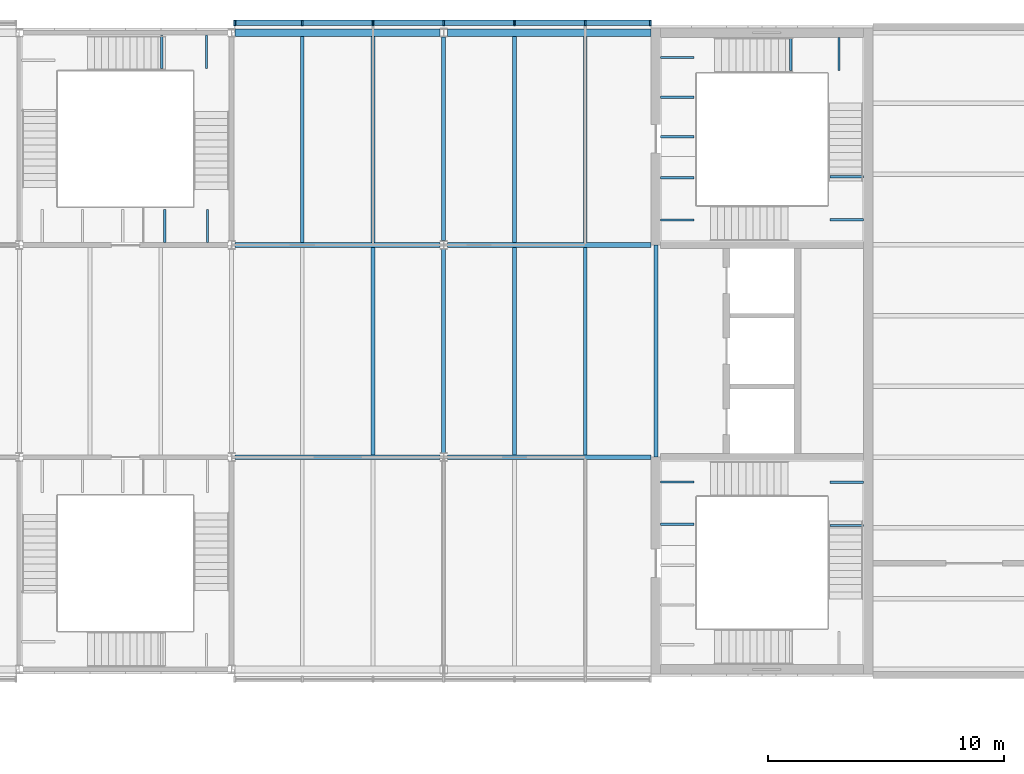
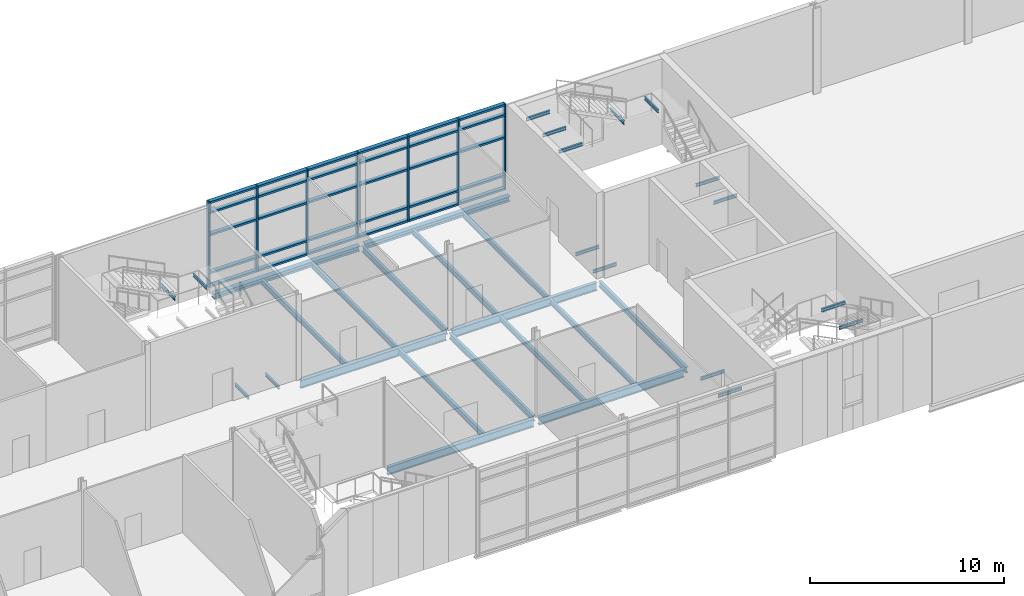
# One storey, part 16 of 52: 37 members, 33 beams, 1 element without a shape of its own.
"""IFC4 building model written with IfcOpenShell, lengths in metres."""

from ifc_helpers import new_model, si_unit, direction, frame, origin, origin_2d, place, context, subcontext, project, spatial, rectangle, i_section, extrude, material, material_profile, profile_set, type_object, element, aggregate, save


model = new_model("IFC4")

# Units and contexts
model_context = context("Model", 3, precision=1e-05, world=origin(), true_north=direction((0.0, 1.0)))
body_context = subcontext(model_context, "Body", "Model", "MODEL_VIEW")
ifc_project = project(units=[si_unit("LENGTHUNIT", "METRE"), si_unit("AREAUNIT", "SQUARE_METRE"), si_unit("VOLUMEUNIT", "CUBIC_METRE"), si_unit("PLANEANGLEUNIT", "RADIAN"), si_unit("MASSUNIT", "GRAM", prefix="KILO")], contexts=[model_context])

# Site, building, storey
site_placement = place(None, origin())
site = spatial("IfcSite", under=ifc_project, at=site_placement, CompositionType="ELEMENT")
building_placement = place(site_placement, origin())
building = spatial("IfcBuilding", under=site, at=building_placement, Name="Azimuth Sports and Learning Centre", CompositionType="ELEMENT")
storey_placement = place(building_placement, frame((0.0, 0.0, 16.199951171875)))
storey = spatial("IfcBuildingStorey", under=building, at=storey_placement, Name="L03", CompositionType="ELEMENT", Elevation=16.199951171875)

# Beams
ifc_material_1 = material(Name="Steel S355", Category="steel")
ifc_material_profile_1 = material_profile(ifc_material_1, i_section(OverallWidth=0.10009765625, OverallDepth=0.199951171875, WebThickness=0.005615234375, FlangeThickness=0.008544921875, FilletRadius=0.011962890625, at=origin_2d()), Name="IPE 200")
ifc_profile_set_1 = profile_set([ifc_material_profile_1], Name="Steel S355")
beam_type_1 = type_object("IfcBeamType", Name="Beam IPE 200", PredefinedType="BEAM", material=ifc_profile_set_1)
for number, where, z_axis, x_axis, name in (
    (1, (54.199951171875, 96.1474609375, -0.300048828125), (1.0, 0.0, 0.0), (0.0, 1.0, 0.0), "Landing bracket W1 L03 26"),
    (2, (54.199951171875, 97.9423828125, -0.300048828125), (1.0, 0.0, 0.0), (0.0, 1.0, 0.0), "Landing bracket W1 L03 27"),
    (3, (62.800048828125, 96.1025390625, 1.5), (-1.0, 0.0, 0.0), (0.0, -1.0, 0.0), "Landing bracket W1 L03 28"),
    (4, (62.800048828125, 97.927490234375, 1.5), (-1.0, 0.0, 0.0), (0.0, -1.0, 0.0), "Landing bracket W1 L03 29"),
    (5, (54.199951171875, 109.0576171875, -0.300048828125), (1.0, 0.0, 0.0), (0.0, 1.0, 0.0), "Landing bracket W2 L03 204"),
    (6, (54.199951171875, 110.8525390625, -0.300048828125), (1.0, 0.0, 0.0), (0.0, 1.0, 0.0), "Landing bracket W2 L03 205"),
    (7, (62.800048828125, 109.072509765625, 1.5), (-1.0, 0.0, 0.0), (0.0, -1.0, 0.0), "Landing bracket W2 L03 206"),
    (8, (62.800048828125, 110.8974609375, 1.5), (-1.0, 0.0, 0.0), (0.0, -1.0, 0.0), "Landing bracket W2 L03 207"),
    (9, (59.715087890625, 116.800048828125, 3.300048828125), (0.0, -1.0, 0.0), (1.0, 0.0, 0.0), "Landing bracket W2 L03 208"),
    (10, (61.764892578125, 116.800048828125, 3.300048828125), (0.0, -1.0, 0.0), (1.0, 0.0, 0.0), "Landing bracket W2 L03 209"),
    (11, (54.199951171875, 112.590087890625, 5.10009765625), (1.0, 0.0, 0.0), (0.0, 1.0, 0.0), "Landing bracket W2 L03 210"),
    (12, (54.199951171875, 114.27001953125, 5.10009765625), (1.0, 0.0, 0.0), (0.0, 1.0, 0.0), "Landing bracket W2 L03 211"),
    (13, (54.199951171875, 115.949951171875, 5.10009765625), (1.0, 0.0, 0.0), (0.0, 1.0, 0.0), "Landing bracket W2 L03 212"),
):
    element("IfcBeam", number, at=place(storey_placement, frame(where, z_axis=z_axis, x_axis=x_axis)), inside=storey, type_object=beam_type_1, Name=name, PredefinedType="BEAM", context=body_context, shape_type="SweptSolid", body=[
        extrude(i_section(OverallWidth=0.10009765625, OverallDepth=0.199951171875, WebThickness=0.005615234375, FlangeThickness=0.008544921875, FilletRadius=0.011962890625, at=origin_2d()), origin(), (0.0, 0.0, 1.0), 1.41015625),
    ])
for number, where, z_axis, x_axis, name in (
    (14, (33.159912109375, 108.10009765625, -0.300048828125), (0.0, 1.0, 0.0), (-1.0, 0.0, 0.0), "Landing bracket WM2 L03 908"),
    (15, (34.97998046875, 108.10009765625, -0.300048828125), (0.0, 1.0, 0.0), (-1.0, 0.0, 0.0), "Landing bracket WM2 L03 909"),
    (16, (33.0400390625, 116.89990234375, 1.5), (0.0, -1.0, 0.0), (1.0, 0.0, 0.0), "Landing bracket WM2 L03 910"),
    (17, (34.93994140625, 116.89990234375, 1.5), (0.0, -1.0, 0.0), (1.0, 0.0, 0.0), "Landing bracket WM2 L03 911"),
):
    element("IfcBeam", number, at=place(storey_placement, frame(where, z_axis=z_axis, x_axis=x_axis)), inside=storey, type_object=beam_type_1, Name=name, PredefinedType="BEAM", context=body_context, shape_type="SweptSolid", body=[
        extrude(i_section(OverallWidth=0.10009765625, OverallDepth=0.199951171875, WebThickness=0.005615234375, FlangeThickness=0.008544921875, FilletRadius=0.011962890625, at=origin_2d()), origin(), (0.0, 0.0, 1.0), 1.409912109375),
    ])
ifc_material_2 = material(Name="Steel S355", Category="steel")
ifc_material_profile_2 = material_profile(ifc_material_2, i_section(OverallWidth=0.169921875, OverallDepth=0.360107421875, WebThickness=0.008056640625, FlangeThickness=0.0126953125, FilletRadius=0.01806640625, at=origin_2d()), Name="IPE 360")
ifc_profile_set_2 = profile_set([ifc_material_profile_2], Name="Steel S355")
beam_type_2 = type_object("IfcBeamType", Name="Beam IPE 360", PredefinedType="BEAM", material=ifc_profile_set_2)
for number, where, z_axis, x_axis, name in (
    (18, (45.0, 99.179931640625, -0.329833984375), (0.0, 1.0, 0.0), (-1.0, 0.0, 0.0), "Beam L03 WW 24"),
    (19, (45.0, 108.179931640625, -0.329833984375), (0.0, 1.0, 0.0), (-1.0, 0.0, 0.0), "Beam L03 WW 25"),
):
    element("IfcBeam", number, at=place(storey_placement, frame(where, z_axis=z_axis, x_axis=x_axis)), inside=storey, type_object=beam_type_2, Name=name, PredefinedType="BEAM", context=body_context, shape_type="SweptSolid", body=[
        extrude(i_section(OverallWidth=0.169921875, OverallDepth=0.360107421875, WebThickness=0.008056640625, FlangeThickness=0.0126953125, FilletRadius=0.01806640625, at=origin_2d()), origin(), (0.0, 0.0, 1.0), 8.64013671875),
    ])
beam_1_placement = place(storey_placement, frame((54.0, 99.0, -0.329833984375), z_axis=(0.0, 1.0, 0.0), x_axis=(-1.0, 0.0, 0.0)))
element("IfcBeam", 20, at=beam_1_placement, inside=storey, type_object=beam_type_2, Name="Beam L03 WW 26", PredefinedType="BEAM", context=body_context, shape_type="SweptSolid", body=[
    extrude(i_section(OverallWidth=0.169921875, OverallDepth=0.360107421875, WebThickness=0.008056640625, FlangeThickness=0.0126953125, FilletRadius=0.01806640625, at=origin_2d()), origin(), (0.0, 0.0, 1.0), 9.0),
])
ifc_material_3 = material(Name="Steel S355", Category="steel")
ifc_material_profile_3 = material_profile(ifc_material_3, i_section(OverallWidth=0.199951171875, OverallDepth=0.5, WebThickness=0.01025390625, FlangeThickness=0.01611328125, FilletRadius=0.02099609375, at=origin_2d()), Name="IPE 500")
ifc_profile_set_3 = profile_set([ifc_material_profile_3], Name="Steel S355")
beam_type_3 = type_object("IfcBeamType", Name="Beam IPE 500", PredefinedType="BEAM", material=ifc_profile_set_3)
beam_2_placement = place(storey_placement, frame((36.14990234375, 99.0, -0.39990234375), z_axis=(1.0, 0.0, 0.0), x_axis=(0.0, 1.0, 0.0)))
element("IfcBeam", 21, at=beam_2_placement, inside=storey, type_object=beam_type_3, Name="Beam L03 WW 7", PredefinedType="BEAM", context=body_context, shape_type="SweptSolid", body=[
    extrude(i_section(OverallWidth=0.199951171875, OverallDepth=0.5, WebThickness=0.01025390625, FlangeThickness=0.01611328125, FilletRadius=0.02099609375, at=origin_2d()), origin(), (0.0, 0.0, 1.0), 8.7001953125),
])
beam_3_placement = place(storey_placement, frame((45.14990234375, 99.0, -0.39990234375), z_axis=(1.0, 0.0, 0.0), x_axis=(0.0, 1.0, 0.0)))
element("IfcBeam", 22, at=beam_3_placement, inside=storey, type_object=beam_type_3, Name="Beam L03 WW 8", PredefinedType="BEAM", context=body_context, shape_type="SweptSolid", body=[
    extrude(i_section(OverallWidth=0.199951171875, OverallDepth=0.5, WebThickness=0.01025390625, FlangeThickness=0.01611328125, FilletRadius=0.02099609375, at=origin_2d()), origin(), (0.0, 0.0, 1.0), 8.650146484375),
])
beam_4_placement = place(storey_placement, frame((36.14990234375, 108.0, -0.39990234375), z_axis=(1.0, 0.0, 0.0), x_axis=(0.0, 1.0, 0.0)))
element("IfcBeam", 23, at=beam_4_placement, inside=storey, type_object=beam_type_3, Name="Beam L03 WW 11", PredefinedType="BEAM", context=body_context, shape_type="SweptSolid", body=[
    extrude(i_section(OverallWidth=0.199951171875, OverallDepth=0.5, WebThickness=0.01025390625, FlangeThickness=0.01611328125, FilletRadius=0.02099609375, at=origin_2d()), origin(), (0.0, 0.0, 1.0), 8.7001953125),
])
beam_5_placement = place(storey_placement, frame((45.14990234375, 108.0, -0.39990234375), z_axis=(1.0, 0.0, 0.0), x_axis=(0.0, 1.0, 0.0)))
element("IfcBeam", 24, at=beam_5_placement, inside=storey, type_object=beam_type_3, Name="Beam L03 WW 12", PredefinedType="BEAM", context=body_context, shape_type="SweptSolid", body=[
    extrude(i_section(OverallWidth=0.199951171875, OverallDepth=0.5, WebThickness=0.01025390625, FlangeThickness=0.01611328125, FilletRadius=0.02099609375, at=origin_2d()), origin(), (0.0, 0.0, 1.0), 8.650146484375),
])
ifc_material_4 = material(Name="Steel S355", Category="steel")
ifc_material_profile_4 = material_profile(ifc_material_4, i_section(OverallWidth=0.300048828125, OverallDepth=0.31005859375, WebThickness=0.009033203125, FlangeThickness=0.015380859375, FilletRadius=0.027099609375, at=origin_2d()), Name="HEA 320")
ifc_profile_set_4 = profile_set([ifc_material_profile_4], Name="Steel S355")
beam_type_4 = type_object("IfcBeamType", Name="Edge beam HEA 320", PredefinedType="SPANDREL", material=ifc_profile_set_4)
beam_6_placement = place(storey_placement, frame((36.14990234375, 117.0, -0.304931640625), z_axis=(1.0, 0.0, 0.0), x_axis=(0.0, 1.0, 0.0)))
element("IfcBeam", 25, at=beam_6_placement, inside=storey, type_object=beam_type_4, Name="Edge beam L03 WW 15", PredefinedType="SPANDREL", context=body_context, shape_type="SweptSolid", body=[
    extrude(i_section(OverallWidth=0.300048828125, OverallDepth=0.31005859375, WebThickness=0.009033203125, FlangeThickness=0.015380859375, FilletRadius=0.027099609375, at=origin_2d()), origin(), (0.0, 0.0, 1.0), 8.7001953125),
])
beam_7_placement = place(storey_placement, frame((45.14990234375, 117.0, -0.304931640625), z_axis=(1.0, 0.0, 0.0), x_axis=(0.0, 1.0, 0.0)))
element("IfcBeam", 26, at=beam_7_placement, inside=storey, type_object=beam_type_4, Name="Edge beam L03 WW 16", PredefinedType="SPANDREL", context=body_context, shape_type="SweptSolid", body=[
    extrude(i_section(OverallWidth=0.300048828125, OverallDepth=0.31005859375, WebThickness=0.009033203125, FlangeThickness=0.015380859375, FilletRadius=0.027099609375, at=origin_2d()), origin(), (0.0, 0.0, 1.0), 8.650146484375),
])
ifc_material_5 = material(Name="Steel S355", Category="steel")
ifc_material_profile_5 = material_profile(ifc_material_5, i_section(OverallWidth=0.159912109375, OverallDepth=0.330078125, WebThickness=0.007568359375, FlangeThickness=0.011474609375, FilletRadius=0.01806640625, at=origin_2d()), Name="IPE 330")
ifc_profile_set_5 = profile_set([ifc_material_profile_5], Name="Steel S355")
beam_type_5 = type_object("IfcBeamType", Name="Joist IPE 330", PredefinedType="JOIST", material=ifc_profile_set_5)
beam_8_placement = place(storey_placement, frame((39.0, 108.10009765625, -0.31494140625), z_axis=(0.0, 1.0, 0.0), x_axis=(-1.0, 0.0, 0.0)))
element("IfcBeam", 27, at=beam_8_placement, inside=storey, type_object=beam_type_5, Name="Joist L03 WW 44", PredefinedType="JOIST", context=body_context, shape_type="SweptSolid", body=[
    extrude(i_section(OverallWidth=0.159912109375, OverallDepth=0.330078125, WebThickness=0.007568359375, FlangeThickness=0.011474609375, FilletRadius=0.01806640625, at=origin_2d()), origin(), (0.0, 0.0, 1.0), 8.75),
])
beam_9_placement = place(storey_placement, frame((42.0, 99.10009765625, -0.31494140625), z_axis=(0.0, 1.0, 0.0), x_axis=(-1.0, 0.0, 0.0)))
element("IfcBeam", 28, at=beam_9_placement, inside=storey, type_object=beam_type_5, Name="Joist L03 WW 46", PredefinedType="JOIST", context=body_context, shape_type="SweptSolid", body=[
    extrude(i_section(OverallWidth=0.159912109375, OverallDepth=0.330078125, WebThickness=0.007568359375, FlangeThickness=0.011474609375, FilletRadius=0.01806640625, at=origin_2d()), origin(), (0.0, 0.0, 1.0), 8.7998046875),
])
beam_10_placement = place(storey_placement, frame((42.0, 108.10009765625, -0.31494140625), z_axis=(0.0, 1.0, 0.0), x_axis=(-1.0, 0.0, 0.0)))
element("IfcBeam", 29, at=beam_10_placement, inside=storey, type_object=beam_type_5, Name="Joist L03 WW 47", PredefinedType="JOIST", context=body_context, shape_type="SweptSolid", body=[
    extrude(i_section(OverallWidth=0.159912109375, OverallDepth=0.330078125, WebThickness=0.007568359375, FlangeThickness=0.011474609375, FilletRadius=0.01806640625, at=origin_2d()), origin(), (0.0, 0.0, 1.0), 8.75),
])
beam_11_placement = place(storey_placement, frame((48.0, 99.10009765625, -0.31494140625), z_axis=(0.0, 1.0, 0.0), x_axis=(-1.0, 0.0, 0.0)))
element("IfcBeam", 30, at=beam_11_placement, inside=storey, type_object=beam_type_5, Name="Joist L03 WW 49", PredefinedType="JOIST", context=body_context, shape_type="SweptSolid", body=[
    extrude(i_section(OverallWidth=0.159912109375, OverallDepth=0.330078125, WebThickness=0.007568359375, FlangeThickness=0.011474609375, FilletRadius=0.01806640625, at=origin_2d()), origin(), (0.0, 0.0, 1.0), 8.7998046875),
])
beam_12_placement = place(storey_placement, frame((48.0, 108.10009765625, -0.31494140625), z_axis=(0.0, 1.0, 0.0), x_axis=(-1.0, 0.0, 0.0)))
element("IfcBeam", 31, at=beam_12_placement, inside=storey, type_object=beam_type_5, Name="Joist L03 WW 50", PredefinedType="JOIST", context=body_context, shape_type="SweptSolid", body=[
    extrude(i_section(OverallWidth=0.159912109375, OverallDepth=0.330078125, WebThickness=0.007568359375, FlangeThickness=0.011474609375, FilletRadius=0.01806640625, at=origin_2d()), origin(), (0.0, 0.0, 1.0), 8.75),
])
beam_13_placement = place(storey_placement, frame((51.0, 99.10009765625, -0.31494140625), z_axis=(0.0, 1.0, 0.0), x_axis=(-1.0, 0.0, 0.0)))
element("IfcBeam", 32, at=beam_13_placement, inside=storey, type_object=beam_type_5, Name="Joist L03 WW 52", PredefinedType="JOIST", context=body_context, shape_type="SweptSolid", body=[
    extrude(i_section(OverallWidth=0.159912109375, OverallDepth=0.330078125, WebThickness=0.007568359375, FlangeThickness=0.011474609375, FilletRadius=0.01806640625, at=origin_2d()), origin(), (0.0, 0.0, 1.0), 8.7998046875),
])
beam_14_placement = place(storey_placement, frame((51.0, 108.10009765625, -0.31494140625), z_axis=(0.0, 1.0, 0.0), x_axis=(-1.0, 0.0, 0.0)))
element("IfcBeam", 33, at=beam_14_placement, inside=storey, type_object=beam_type_5, Name="Joist L03 WW 53", PredefinedType="JOIST", context=body_context, shape_type="SweptSolid", body=[
    extrude(i_section(OverallWidth=0.159912109375, OverallDepth=0.330078125, WebThickness=0.007568359375, FlangeThickness=0.011474609375, FilletRadius=0.01806640625, at=origin_2d()), origin(), (0.0, 0.0, 1.0), 8.75),
])

# Curtain wall, members
ifc_material_6 = material(Name="Aluminium and glass", Category="aluminium")
curtain_wall_type = type_object("IfcCurtainWallType", Name="Curtain wall podium wing 240", PredefinedType="NOTDEFINED", material=ifc_material_6)
curtain_wall_placement = place(storey_placement, origin())
curtain_wall = element("IfcCurtainWall", 34, at=curtain_wall_placement, inside=storey, type_object=curtain_wall_type, Name="Curtain wall CW03-013", PredefinedType="NOTDEFINED")
ifc_material_7 = material(Name="Aluminium", Category="aluminium")
ifc_material_profile_6 = material_profile(ifc_material_7, rectangle(XDim=0.239990234375, YDim=0.080078125, at=origin_2d()), Name="Mullion 80x240")
ifc_profile_set_6 = profile_set([ifc_material_profile_6], Name="Aluminium")
member_type_1 = type_object("IfcMemberType", Name="Mullion 80x240", PredefinedType="MULLION", material=ifc_profile_set_6)
member_1_placement = place(storey_placement, frame((53.760009765625, 117.419921875, 0.0), z_axis=(0.0, 0.0, 1.0), x_axis=(0.0, -1.0, 0.0)))
member_1 = element("IfcMember", 35, at=member_1_placement, type_object=member_type_1, Name="CW03-013 mullion 1", PredefinedType="MULLION", context=body_context, shape_type="SweptSolid", body=[
    extrude(rectangle(XDim=0.239990234375, YDim=0.080078125, at=origin_2d()), origin(), (0.0, 0.0, 1.0), 5.400146484375),
])
member_2_placement = place(storey_placement, frame((51.0, 117.419921875, 0.0), z_axis=(0.0, 0.0, 1.0), x_axis=(0.0, -1.0, 0.0)))
member_2 = element("IfcMember", 36, at=member_2_placement, type_object=member_type_1, Name="CW03-013 mullion 2", PredefinedType="MULLION", context=body_context, shape_type="SweptSolid", body=[
    extrude(rectangle(XDim=0.239990234375, YDim=0.080078125, at=origin_2d()), origin(), (0.0, 0.0, 1.0), 5.400146484375),
])
member_3_placement = place(storey_placement, frame((48.0, 117.419921875, 0.0), z_axis=(0.0, 0.0, 1.0), x_axis=(0.0, -1.0, 0.0)))
member_3 = element("IfcMember", 37, at=member_3_placement, type_object=member_type_1, Name="CW03-013 mullion 3", PredefinedType="MULLION", context=body_context, shape_type="SweptSolid", body=[
    extrude(rectangle(XDim=0.239990234375, YDim=0.080078125, at=origin_2d()), origin(), (0.0, 0.0, 1.0), 5.400146484375),
])
member_4_placement = place(storey_placement, frame((45.0, 117.419921875, 0.0), z_axis=(0.0, 0.0, 1.0), x_axis=(0.0, -1.0, 0.0)))
member_4 = element("IfcMember", 38, at=member_4_placement, type_object=member_type_1, Name="CW03-013 mullion 4", PredefinedType="MULLION", context=body_context, shape_type="SweptSolid", body=[
    extrude(rectangle(XDim=0.239990234375, YDim=0.080078125, at=origin_2d()), origin(), (0.0, 0.0, 1.0), 5.400146484375),
])
member_5_placement = place(storey_placement, frame((42.0, 117.419921875, 0.0), z_axis=(0.0, 0.0, 1.0), x_axis=(0.0, -1.0, 0.0)))
member_5 = element("IfcMember", 39, at=member_5_placement, type_object=member_type_1, Name="CW03-013 mullion 5", PredefinedType="MULLION", context=body_context, shape_type="SweptSolid", body=[
    extrude(rectangle(XDim=0.239990234375, YDim=0.080078125, at=origin_2d()), origin(), (0.0, 0.0, 1.0), 5.400146484375),
])
member_6_placement = place(storey_placement, frame((39.0, 117.419921875, 0.0), z_axis=(0.0, 0.0, 1.0), x_axis=(0.0, -1.0, 0.0)))
member_6 = element("IfcMember", 40, at=member_6_placement, type_object=member_type_1, Name="CW03-013 mullion 6", PredefinedType="MULLION", context=body_context, shape_type="SweptSolid", body=[
    extrude(rectangle(XDim=0.239990234375, YDim=0.080078125, at=origin_2d()), origin(), (0.0, 0.0, 1.0), 5.400146484375),
])
member_7_placement = place(storey_placement, frame((36.139892578125, 117.419921875, 0.0), z_axis=(0.0, 0.0, 1.0), x_axis=(0.0, -1.0, 0.0)))
member_7 = element("IfcMember", 41, at=member_7_placement, type_object=member_type_1, Name="CW03-013 mullion 7", PredefinedType="MULLION", context=body_context, shape_type="SweptSolid", body=[
    extrude(rectangle(XDim=0.239990234375, YDim=0.080078125, at=origin_2d()), origin(), (0.0, 0.0, 1.0), 5.400146484375),
])
ifc_material_8 = material(Name="Aluminium", Category="aluminium")
ifc_material_profile_7 = material_profile(ifc_material_8, rectangle(XDim=0.239990234375, YDim=0.1201171875, at=origin_2d()), Name="Transom 120x240")
ifc_profile_set_7 = profile_set([ifc_material_profile_7], Name="Aluminium")
member_type_2 = type_object("IfcMemberType", Name="Transom 120x240", PredefinedType="USERDEFINED", material=ifc_profile_set_7)
member_8_placement = place(storey_placement, frame((53.719970703125, 117.419921875, 0.06005859375), z_axis=(-1.0, 0.0, 0.0), x_axis=(0.0, -1.0, 0.0)))
member_8 = element("IfcMember", 42, at=member_8_placement, type_object=member_type_2, Name="CW03-013 transom 1.1", ObjectType="TRANSOM", PredefinedType="USERDEFINED", context=body_context, shape_type="SweptSolid", body=[
    extrude(rectangle(XDim=0.239990234375, YDim=0.1201171875, at=origin_2d()), origin(), (0.0, 0.0, 1.0), 2.679931640625),
])
member_9_placement = place(storey_placement, frame((53.719970703125, 117.419921875, 0.900146484375), z_axis=(-1.0, 0.0, 0.0), x_axis=(0.0, -1.0, 0.0)))
member_9 = element("IfcMember", 43, at=member_9_placement, type_object=member_type_2, Name="CW03-013 transom 1.2", ObjectType="TRANSOM", PredefinedType="USERDEFINED", context=body_context, shape_type="SweptSolid", body=[
    extrude(rectangle(XDim=0.239990234375, YDim=0.1201171875, at=origin_2d()), origin(), (0.0, 0.0, 1.0), 2.679931640625),
])
member_10_placement = place(storey_placement, frame((53.719970703125, 117.419921875, 3.300048828125), z_axis=(-1.0, 0.0, 0.0), x_axis=(0.0, -1.0, 0.0)))
member_10 = element("IfcMember", 44, at=member_10_placement, type_object=member_type_2, Name="CW03-013 transom 1.3", ObjectType="TRANSOM", PredefinedType="USERDEFINED", context=body_context, shape_type="SweptSolid", body=[
    extrude(rectangle(XDim=0.239990234375, YDim=0.1201171875, at=origin_2d()), origin(), (0.0, 0.0, 1.0), 2.679931640625),
])
member_11_placement = place(storey_placement, frame((53.719970703125, 117.419921875, 4.699951171875), z_axis=(-1.0, 0.0, 0.0), x_axis=(0.0, -1.0, 0.0)))
member_11 = element("IfcMember", 45, at=member_11_placement, type_object=member_type_2, Name="CW03-013 transom 1.4", ObjectType="TRANSOM", PredefinedType="USERDEFINED", context=body_context, shape_type="SweptSolid", body=[
    extrude(rectangle(XDim=0.239990234375, YDim=0.1201171875, at=origin_2d()), origin(), (0.0, 0.0, 1.0), 2.679931640625),
])
member_12_placement = place(storey_placement, frame((53.719970703125, 117.419921875, 5.340087890625), z_axis=(-1.0, 0.0, 0.0), x_axis=(0.0, -1.0, 0.0)))
member_12 = element("IfcMember", 46, at=member_12_placement, type_object=member_type_2, Name="CW03-013 transom 1.5", ObjectType="TRANSOM", PredefinedType="USERDEFINED", context=body_context, shape_type="SweptSolid", body=[
    extrude(rectangle(XDim=0.239990234375, YDim=0.1201171875, at=origin_2d()), origin(), (0.0, 0.0, 1.0), 2.679931640625),
])
member_13_placement = place(storey_placement, frame((50.9599609375, 117.419921875, 0.06005859375), z_axis=(-1.0, 0.0, 0.0), x_axis=(0.0, -1.0, 0.0)))
member_13 = element("IfcMember", 47, at=member_13_placement, type_object=member_type_2, Name="CW03-013 transom 2.1", ObjectType="TRANSOM", PredefinedType="USERDEFINED", context=body_context, shape_type="SweptSolid", body=[
    extrude(rectangle(XDim=0.239990234375, YDim=0.1201171875, at=origin_2d()), origin(), (0.0, 0.0, 1.0), 2.919921875),
])
member_14_placement = place(storey_placement, frame((50.9599609375, 117.419921875, 0.900146484375), z_axis=(-1.0, 0.0, 0.0), x_axis=(0.0, -1.0, 0.0)))
member_14 = element("IfcMember", 48, at=member_14_placement, type_object=member_type_2, Name="CW03-013 transom 2.2", ObjectType="TRANSOM", PredefinedType="USERDEFINED", context=body_context, shape_type="SweptSolid", body=[
    extrude(rectangle(XDim=0.239990234375, YDim=0.1201171875, at=origin_2d()), origin(), (0.0, 0.0, 1.0), 2.919921875),
])
member_15_placement = place(storey_placement, frame((50.9599609375, 117.419921875, 3.300048828125), z_axis=(-1.0, 0.0, 0.0), x_axis=(0.0, -1.0, 0.0)))
member_15 = element("IfcMember", 49, at=member_15_placement, type_object=member_type_2, Name="CW03-013 transom 2.3", ObjectType="TRANSOM", PredefinedType="USERDEFINED", context=body_context, shape_type="SweptSolid", body=[
    extrude(rectangle(XDim=0.239990234375, YDim=0.1201171875, at=origin_2d()), origin(), (0.0, 0.0, 1.0), 2.919921875),
])
member_16_placement = place(storey_placement, frame((50.9599609375, 117.419921875, 4.699951171875), z_axis=(-1.0, 0.0, 0.0), x_axis=(0.0, -1.0, 0.0)))
member_16 = element("IfcMember", 50, at=member_16_placement, type_object=member_type_2, Name="CW03-013 transom 2.4", ObjectType="TRANSOM", PredefinedType="USERDEFINED", context=body_context, shape_type="SweptSolid", body=[
    extrude(rectangle(XDim=0.239990234375, YDim=0.1201171875, at=origin_2d()), origin(), (0.0, 0.0, 1.0), 2.919921875),
])
member_17_placement = place(storey_placement, frame((50.9599609375, 117.419921875, 5.340087890625), z_axis=(-1.0, 0.0, 0.0), x_axis=(0.0, -1.0, 0.0)))
member_17 = element("IfcMember", 51, at=member_17_placement, type_object=member_type_2, Name="CW03-013 transom 2.5", ObjectType="TRANSOM", PredefinedType="USERDEFINED", context=body_context, shape_type="SweptSolid", body=[
    extrude(rectangle(XDim=0.239990234375, YDim=0.1201171875, at=origin_2d()), origin(), (0.0, 0.0, 1.0), 2.919921875),
])
member_18_placement = place(storey_placement, frame((47.9599609375, 117.419921875, 0.06005859375), z_axis=(-1.0, 0.0, 0.0), x_axis=(0.0, -1.0, 0.0)))
member_18 = element("IfcMember", 52, at=member_18_placement, type_object=member_type_2, Name="CW03-013 transom 3.1", ObjectType="TRANSOM", PredefinedType="USERDEFINED", context=body_context, shape_type="SweptSolid", body=[
    extrude(rectangle(XDim=0.239990234375, YDim=0.1201171875, at=origin_2d()), origin(), (0.0, 0.0, 1.0), 2.919921875),
])
member_19_placement = place(storey_placement, frame((47.9599609375, 117.419921875, 0.900146484375), z_axis=(-1.0, 0.0, 0.0), x_axis=(0.0, -1.0, 0.0)))
member_19 = element("IfcMember", 53, at=member_19_placement, type_object=member_type_2, Name="CW03-013 transom 3.2", ObjectType="TRANSOM", PredefinedType="USERDEFINED", context=body_context, shape_type="SweptSolid", body=[
    extrude(rectangle(XDim=0.239990234375, YDim=0.1201171875, at=origin_2d()), origin(), (0.0, 0.0, 1.0), 2.919921875),
])
member_20_placement = place(storey_placement, frame((47.9599609375, 117.419921875, 3.300048828125), z_axis=(-1.0, 0.0, 0.0), x_axis=(0.0, -1.0, 0.0)))
member_20 = element("IfcMember", 54, at=member_20_placement, type_object=member_type_2, Name="CW03-013 transom 3.3", ObjectType="TRANSOM", PredefinedType="USERDEFINED", context=body_context, shape_type="SweptSolid", body=[
    extrude(rectangle(XDim=0.239990234375, YDim=0.1201171875, at=origin_2d()), origin(), (0.0, 0.0, 1.0), 2.919921875),
])
member_21_placement = place(storey_placement, frame((47.9599609375, 117.419921875, 4.699951171875), z_axis=(-1.0, 0.0, 0.0), x_axis=(0.0, -1.0, 0.0)))
member_21 = element("IfcMember", 55, at=member_21_placement, type_object=member_type_2, Name="CW03-013 transom 3.4", ObjectType="TRANSOM", PredefinedType="USERDEFINED", context=body_context, shape_type="SweptSolid", body=[
    extrude(rectangle(XDim=0.239990234375, YDim=0.1201171875, at=origin_2d()), origin(), (0.0, 0.0, 1.0), 2.919921875),
])
member_22_placement = place(storey_placement, frame((47.9599609375, 117.419921875, 5.340087890625), z_axis=(-1.0, 0.0, 0.0), x_axis=(0.0, -1.0, 0.0)))
member_22 = element("IfcMember", 56, at=member_22_placement, type_object=member_type_2, Name="CW03-013 transom 3.5", ObjectType="TRANSOM", PredefinedType="USERDEFINED", context=body_context, shape_type="SweptSolid", body=[
    extrude(rectangle(XDim=0.239990234375, YDim=0.1201171875, at=origin_2d()), origin(), (0.0, 0.0, 1.0), 2.919921875),
])
member_23_placement = place(storey_placement, frame((44.9599609375, 117.419921875, 0.06005859375), z_axis=(-1.0, 0.0, 0.0), x_axis=(0.0, -1.0, 0.0)))
member_23 = element("IfcMember", 57, at=member_23_placement, type_object=member_type_2, Name="CW03-013 transom 4.1", ObjectType="TRANSOM", PredefinedType="USERDEFINED", context=body_context, shape_type="SweptSolid", body=[
    extrude(rectangle(XDim=0.239990234375, YDim=0.1201171875, at=origin_2d()), origin(), (0.0, 0.0, 1.0), 2.919921875),
])
member_24_placement = place(storey_placement, frame((44.9599609375, 117.419921875, 0.900146484375), z_axis=(-1.0, 0.0, 0.0), x_axis=(0.0, -1.0, 0.0)))
member_24 = element("IfcMember", 58, at=member_24_placement, type_object=member_type_2, Name="CW03-013 transom 4.2", ObjectType="TRANSOM", PredefinedType="USERDEFINED", context=body_context, shape_type="SweptSolid", body=[
    extrude(rectangle(XDim=0.239990234375, YDim=0.1201171875, at=origin_2d()), origin(), (0.0, 0.0, 1.0), 2.919921875),
])
member_25_placement = place(storey_placement, frame((44.9599609375, 117.419921875, 3.300048828125), z_axis=(-1.0, 0.0, 0.0), x_axis=(0.0, -1.0, 0.0)))
member_25 = element("IfcMember", 59, at=member_25_placement, type_object=member_type_2, Name="CW03-013 transom 4.3", ObjectType="TRANSOM", PredefinedType="USERDEFINED", context=body_context, shape_type="SweptSolid", body=[
    extrude(rectangle(XDim=0.239990234375, YDim=0.1201171875, at=origin_2d()), origin(), (0.0, 0.0, 1.0), 2.919921875),
])
member_26_placement = place(storey_placement, frame((44.9599609375, 117.419921875, 4.699951171875), z_axis=(-1.0, 0.0, 0.0), x_axis=(0.0, -1.0, 0.0)))
member_26 = element("IfcMember", 60, at=member_26_placement, type_object=member_type_2, Name="CW03-013 transom 4.4", ObjectType="TRANSOM", PredefinedType="USERDEFINED", context=body_context, shape_type="SweptSolid", body=[
    extrude(rectangle(XDim=0.239990234375, YDim=0.1201171875, at=origin_2d()), origin(), (0.0, 0.0, 1.0), 2.919921875),
])
member_27_placement = place(storey_placement, frame((44.9599609375, 117.419921875, 5.340087890625), z_axis=(-1.0, 0.0, 0.0), x_axis=(0.0, -1.0, 0.0)))
member_27 = element("IfcMember", 61, at=member_27_placement, type_object=member_type_2, Name="CW03-013 transom 4.5", ObjectType="TRANSOM", PredefinedType="USERDEFINED", context=body_context, shape_type="SweptSolid", body=[
    extrude(rectangle(XDim=0.239990234375, YDim=0.1201171875, at=origin_2d()), origin(), (0.0, 0.0, 1.0), 2.919921875),
])
member_28_placement = place(storey_placement, frame((41.9599609375, 117.419921875, 0.06005859375), z_axis=(-1.0, 0.0, 0.0), x_axis=(0.0, -1.0, 0.0)))
member_28 = element("IfcMember", 62, at=member_28_placement, type_object=member_type_2, Name="CW03-013 transom 5.1", ObjectType="TRANSOM", PredefinedType="USERDEFINED", context=body_context, shape_type="SweptSolid", body=[
    extrude(rectangle(XDim=0.239990234375, YDim=0.1201171875, at=origin_2d()), origin(), (0.0, 0.0, 1.0), 2.919921875),
])
member_29_placement = place(storey_placement, frame((41.9599609375, 117.419921875, 0.900146484375), z_axis=(-1.0, 0.0, 0.0), x_axis=(0.0, -1.0, 0.0)))
member_29 = element("IfcMember", 63, at=member_29_placement, type_object=member_type_2, Name="CW03-013 transom 5.2", ObjectType="TRANSOM", PredefinedType="USERDEFINED", context=body_context, shape_type="SweptSolid", body=[
    extrude(rectangle(XDim=0.239990234375, YDim=0.1201171875, at=origin_2d()), origin(), (0.0, 0.0, 1.0), 2.919921875),
])
member_30_placement = place(storey_placement, frame((41.9599609375, 117.419921875, 3.300048828125), z_axis=(-1.0, 0.0, 0.0), x_axis=(0.0, -1.0, 0.0)))
member_30 = element("IfcMember", 64, at=member_30_placement, type_object=member_type_2, Name="CW03-013 transom 5.3", ObjectType="TRANSOM", PredefinedType="USERDEFINED", context=body_context, shape_type="SweptSolid", body=[
    extrude(rectangle(XDim=0.239990234375, YDim=0.1201171875, at=origin_2d()), origin(), (0.0, 0.0, 1.0), 2.919921875),
])
member_31_placement = place(storey_placement, frame((41.9599609375, 117.419921875, 4.699951171875), z_axis=(-1.0, 0.0, 0.0), x_axis=(0.0, -1.0, 0.0)))
member_31 = element("IfcMember", 65, at=member_31_placement, type_object=member_type_2, Name="CW03-013 transom 5.4", ObjectType="TRANSOM", PredefinedType="USERDEFINED", context=body_context, shape_type="SweptSolid", body=[
    extrude(rectangle(XDim=0.239990234375, YDim=0.1201171875, at=origin_2d()), origin(), (0.0, 0.0, 1.0), 2.919921875),
])
member_32_placement = place(storey_placement, frame((41.9599609375, 117.419921875, 5.340087890625), z_axis=(-1.0, 0.0, 0.0), x_axis=(0.0, -1.0, 0.0)))
member_32 = element("IfcMember", 66, at=member_32_placement, type_object=member_type_2, Name="CW03-013 transom 5.5", ObjectType="TRANSOM", PredefinedType="USERDEFINED", context=body_context, shape_type="SweptSolid", body=[
    extrude(rectangle(XDim=0.239990234375, YDim=0.1201171875, at=origin_2d()), origin(), (0.0, 0.0, 1.0), 2.919921875),
])
member_33_placement = place(storey_placement, frame((38.9599609375, 117.419921875, 0.06005859375), z_axis=(-1.0, 0.0, 0.0), x_axis=(0.0, -1.0, 0.0)))
member_33 = element("IfcMember", 67, at=member_33_placement, type_object=member_type_2, Name="CW03-013 transom 6.1", ObjectType="TRANSOM", PredefinedType="USERDEFINED", context=body_context, shape_type="SweptSolid", body=[
    extrude(rectangle(XDim=0.239990234375, YDim=0.1201171875, at=origin_2d()), origin(), (0.0, 0.0, 1.0), 2.780029296875),
])
member_34_placement = place(storey_placement, frame((38.9599609375, 117.419921875, 0.900146484375), z_axis=(-1.0, 0.0, 0.0), x_axis=(0.0, -1.0, 0.0)))
member_34 = element("IfcMember", 68, at=member_34_placement, type_object=member_type_2, Name="CW03-013 transom 6.2", ObjectType="TRANSOM", PredefinedType="USERDEFINED", context=body_context, shape_type="SweptSolid", body=[
    extrude(rectangle(XDim=0.239990234375, YDim=0.1201171875, at=origin_2d()), origin(), (0.0, 0.0, 1.0), 2.780029296875),
])
member_35_placement = place(storey_placement, frame((38.9599609375, 117.419921875, 3.300048828125), z_axis=(-1.0, 0.0, 0.0), x_axis=(0.0, -1.0, 0.0)))
member_35 = element("IfcMember", 69, at=member_35_placement, type_object=member_type_2, Name="CW03-013 transom 6.3", ObjectType="TRANSOM", PredefinedType="USERDEFINED", context=body_context, shape_type="SweptSolid", body=[
    extrude(rectangle(XDim=0.239990234375, YDim=0.1201171875, at=origin_2d()), origin(), (0.0, 0.0, 1.0), 2.780029296875),
])
member_36_placement = place(storey_placement, frame((38.9599609375, 117.419921875, 4.699951171875), z_axis=(-1.0, 0.0, 0.0), x_axis=(0.0, -1.0, 0.0)))
member_36 = element("IfcMember", 70, at=member_36_placement, type_object=member_type_2, Name="CW03-013 transom 6.4", ObjectType="TRANSOM", PredefinedType="USERDEFINED", context=body_context, shape_type="SweptSolid", body=[
    extrude(rectangle(XDim=0.239990234375, YDim=0.1201171875, at=origin_2d()), origin(), (0.0, 0.0, 1.0), 2.780029296875),
])
member_37_placement = place(storey_placement, frame((38.9599609375, 117.419921875, 5.340087890625), z_axis=(-1.0, 0.0, 0.0), x_axis=(0.0, -1.0, 0.0)))
member_37 = element("IfcMember", 71, at=member_37_placement, type_object=member_type_2, Name="CW03-013 transom 6.5", ObjectType="TRANSOM", PredefinedType="USERDEFINED", context=body_context, shape_type="SweptSolid", body=[
    extrude(rectangle(XDim=0.239990234375, YDim=0.1201171875, at=origin_2d()), origin(), (0.0, 0.0, 1.0), 2.780029296875),
])
aggregate(curtain_wall, [member_1, member_2, member_3, member_4, member_5, member_6, member_7, member_8, member_9, member_10, member_11, member_12, member_13, member_14, member_15, member_16, member_17, member_18, member_19, member_20, member_21, member_22, member_23, member_24, member_25, member_26, member_27, member_28, member_29, member_30, member_31, member_32, member_33, member_34, member_35, member_36, member_37])

save(model, "model.ifc")
